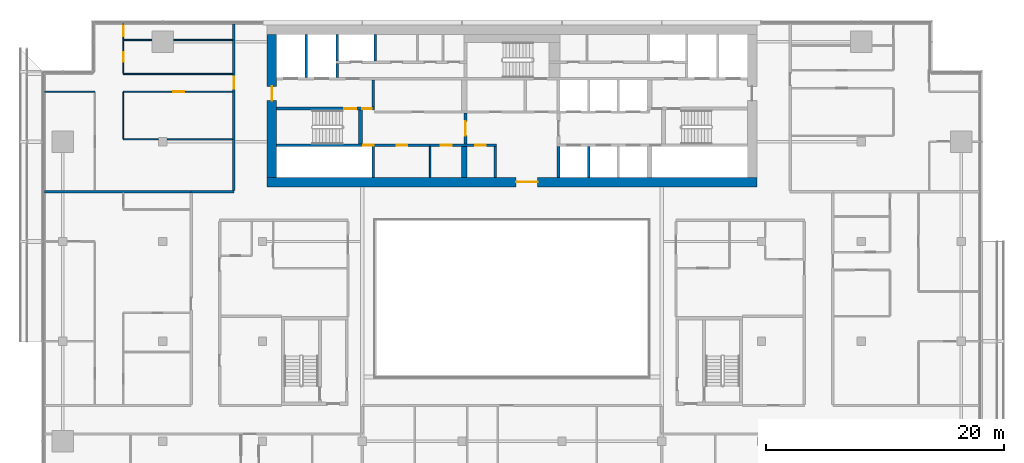
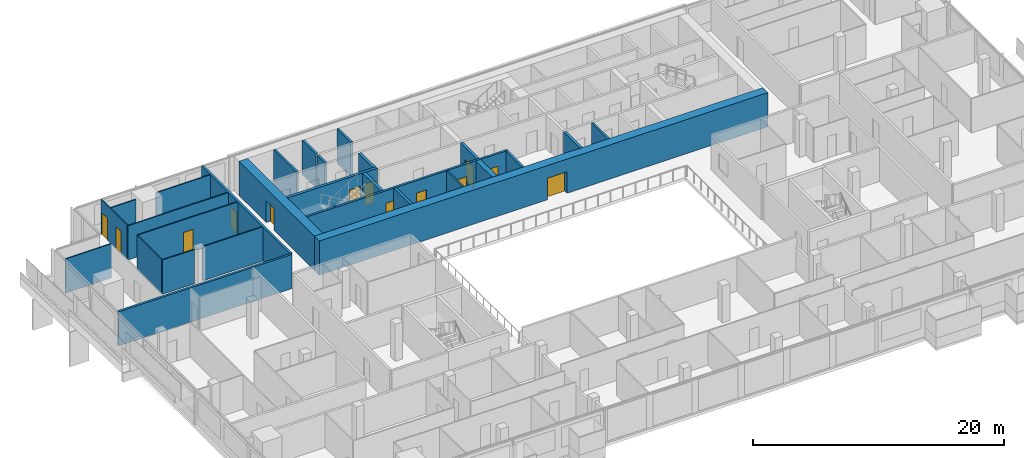
# One storey, part 21 of 29: 29 walls, 13 doors, 13 openings.
"""IFC4 building model written with IfcOpenShell, lengths in metres."""

import ifcopenshell
import ifcopenshell.guid

model = None  # the IFC model being written
_history = None  # IfcOwnerHistory: only IFC2X3 demands one
_inside = {}  # id of a spatial element -> (the spatial element, [elements in it])
_under = {}  # id of a project, library or spatial element -> (it, [spatial elements below it])
_declared = {}  # id of a project -> (the project, [libraries it declares])
_typed = {}  # id of a type object -> (the type object, [elements of that type])
_made_of = {}  # id of a material, layer set ... -> (it, [elements and type objects made of it])


def new_model(schema):
    """Start an empty IFC model of exactly this schema.

    Asked for "IFC4X3", IfcOpenShell would pick the latest addendum, in which some entities
    have other attributes; the version numbers below select the first issue.
    IFC2X3 requires an IfcOwnerHistory on every rooted entity: one is made here for all.
    """
    global model, _history
    if schema == "IFC4X3":
        model = ifcopenshell.file(schema_version=(4, 3, 0, 0))
    else:
        model = ifcopenshell.file(schema=schema)
    _inside.clear()
    _under.clear()
    _declared.clear()
    _typed.clear()
    _made_of.clear()
    _history = None
    if model.schema == "IFC2X3":
        org = make("IfcOrganization", Name="unknown")
        user = make(
            "IfcPersonAndOrganization",
            ThePerson=make("IfcPerson", FamilyName="unknown"),
            TheOrganization=org,
        )
        app = make(
            "IfcApplication",
            ApplicationDeveloper=org,
            Version="unknown",
            ApplicationFullName="unknown",
            ApplicationIdentifier="unknown",
        )
        _history = make(
            "IfcOwnerHistory",
            OwningUser=user,
            OwningApplication=app,
            ChangeAction="ADDED",
            CreationDate=0,
        )
    return model


def make(cls, **values):
    """One entity of the class cls with the attributes given. An attribute that is None is left unset."""
    return model.create_entity(
        cls, **{name: value for name, value in values.items() if value is not None}
    )


def rooted(cls, **values):
    """An entity with a GlobalId (a new one), such as an element, a storey or a relation."""
    return make(cls, GlobalId=ifcopenshell.guid.new(), OwnerHistory=_history, **values)


def si_unit(unit_type, name, prefix=None):
    """IfcSIUnit, for example si_unit("LENGTHUNIT", "METRE", prefix="MILLI")."""
    return make("IfcSIUnit", UnitType=unit_type, Prefix=prefix, Name=name)


def assignment(units):
    """IfcUnitAssignment: the units of a project."""
    return None if units is None else make("IfcUnitAssignment", Units=units)


def point(xyz):
    """IfcCartesianPoint."""
    return None if xyz is None else make("IfcCartesianPoint", Coordinates=xyz)


def direction(xyz):
    """IfcDirection."""
    return None if xyz is None else make("IfcDirection", DirectionRatios=xyz)


def frame(location, z_axis=None, x_axis=None):
    """IfcAxis2Placement3D, a coordinate frame: its origin and axes. An axis left out is left unset."""
    return make(
        "IfcAxis2Placement3D",
        Location=point(location),
        Axis=direction(z_axis),
        RefDirection=direction(x_axis),
    )


def frame_2d(location, x_axis=None):
    """IfcAxis2Placement2D, a coordinate frame in the plane: its origin and x axis."""
    return make(
        "IfcAxis2Placement2D", Location=point(location), RefDirection=direction(x_axis)
    )


def origin():
    """The frame at (0, 0, 0) with its axes left unset."""
    return frame((0.0, 0.0, 0.0))


def place(relative_to, where):
    """IfcLocalPlacement: puts the frame where relative to a parent placement (None: the world)."""
    return make(
        "IfcLocalPlacement", PlacementRelTo=relative_to, RelativePlacement=where
    )


def context(
    kind, dimensions, precision=None, world=None, true_north=None, identifier=None
):
    """IfcGeometricRepresentationContext, for example the 3D "Model" context."""
    return make(
        "IfcGeometricRepresentationContext",
        ContextIdentifier=identifier,
        ContextType=kind,
        CoordinateSpaceDimension=dimensions,
        Precision=precision,
        WorldCoordinateSystem=world,
        TrueNorth=true_north,
    )


def subcontext(parent, identifier, kind, view, scale=None):
    """IfcGeometricRepresentationSubContext, for example "Body" below "Model"."""
    return make(
        "IfcGeometricRepresentationSubContext",
        ContextIdentifier=identifier,
        ContextType=kind,
        ParentContext=parent,
        TargetScale=scale,
        TargetView=view,
    )


def project(units=None, contexts=None):
    """IfcProject with its units and contexts."""
    return rooted(
        "IfcProject",
        Name="project",
        RepresentationContexts=contexts,
        UnitsInContext=assignment(units),
    )


def spatial(cls, under=None, at=None, **own):
    """A site, building, storey or space (cls), placed at a placement, below another one or the project."""
    s = rooted(cls, ObjectPlacement=at, **own)
    if under is not None:
        _under.setdefault(under.id(), (under, []))[1].append(s)
    return s


def profile(cls, at=None, kind="AREA", **sizes):
    """A parametric profile (cls). Its sizes go by their IFC names, for example OverallWidth=200.0."""
    return make(cls, ProfileType=kind, Position=at, **sizes)


def rectangle(**sizes):
    """IfcRectangleProfileDef."""
    return profile("IfcRectangleProfileDef", **sizes)


def extrude(swept, where, along, depth):
    """IfcExtrudedAreaSolid: the profile swept, set in the frame where, extruded along a direction by depth."""
    return make(
        "IfcExtrudedAreaSolid",
        SweptArea=swept,
        Position=where,
        ExtrudedDirection=direction(along),
        Depth=depth,
    )


def shape(context_of_items, identifier, shape_type, items):
    """IfcShapeRepresentation: the items that make up one representation, for example the "Body"."""
    return make(
        "IfcShapeRepresentation",
        ContextOfItems=context_of_items,
        RepresentationIdentifier=identifier,
        RepresentationType=shape_type,
        Items=items,
    )


def material(Name=None, Category=None):
    """IfcMaterial."""
    return make("IfcMaterial", Name=Name, Category=Category)


def layer(
    of_material, thickness, ventilated=None, Name=None, Category=None, Priority=None
):
    """IfcMaterialLayer: one layer of a wall or slab, of a material (None: an air gap)."""
    return make(
        "IfcMaterialLayer",
        Material=of_material,
        LayerThickness=thickness,
        IsVentilated=ventilated,
        Name=Name,
        Category=Category,
        Priority=Priority,
    )


def layer_set(layers, Name=None):
    """IfcMaterialLayerSet."""
    return make("IfcMaterialLayerSet", MaterialLayers=layers, LayerSetName=Name)


def made_of(thing, what):
    """Note that an element or type object is made of a material, layer set ...; save() writes the relation."""
    if what is not None:
        _made_of.setdefault(what.id(), (what, []))[1].append(thing)
    return thing


def type_object(cls, material=None, **own):
    """A type object (cls), such as IfcWallType, which elements share."""
    return made_of(rooted(cls, **own), material)


def element(
    cls,
    number,
    at=None,
    inside=None,
    cuts=None,
    type_object=None,
    material=None,
    context=None,
    identifier="Body",
    shape_type=None,
    held_by="IfcProductDefinitionShape",
    body=None,
    shapes=None,
    **own,
):
    """One element of the class cls, such as IfcWall. Its Tag is "e" and its number.

    at: its placement. inside: the storey or other place that contains it. cuts: it is an
    opening in that element (IfcRelVoidsElement). A single representation is given by context,
    identifier, shape_type and body (its items); several are given by shapes. held_by: the class
    of the entity that holds the representations. save() writes the other relations.
    """
    e = rooted(cls, Tag="e%d" % number, ObjectPlacement=at, **own)
    if body is not None:
        shapes = [shape(context, identifier, shape_type, body)]
    if shapes is not None:
        e.Representation = make(held_by, Representations=shapes)
    if inside is not None:
        _inside.setdefault(inside.id(), (inside, []))[1].append(e)
    if cuts is not None:
        rooted(
            "IfcRelVoidsElement", RelatingBuildingElement=cuts, RelatedOpeningElement=e
        )
    if type_object is not None:
        _typed.setdefault(type_object.id(), (type_object, []))[1].append(e)
    return made_of(e, material)


def fill(opening, filler):
    """IfcRelFillsElement: the door or window that sits in an opening."""
    return rooted(
        "IfcRelFillsElement",
        RelatingOpeningElement=opening,
        RelatedBuildingElement=filler,
    )


def aggregate(whole, parts):
    """IfcRelAggregates: a whole, such as a stair, and the parts it consists of."""
    return rooted("IfcRelAggregates", RelatingObject=whole, RelatedObjects=parts)


def save(model, path):
    """Write the relations noted so far, then the file.

    IfcRelAggregates (storeys below a building ...), IfcRelContainedInSpatialStructure (elements
    in a storey), IfcRelDefinesByType, IfcRelAssociatesMaterial and IfcRelDeclares: one each for
    every whole, place, type object, material and project.
    """
    for whole, parts in _under.values():
        aggregate(whole, parts)
    for where, things in _inside.values():
        rooted(
            "IfcRelContainedInSpatialStructure",
            RelatedElements=things,
            RelatingStructure=where,
        )
    for kind, things in _typed.values():
        rooted("IfcRelDefinesByType", RelatedObjects=things, RelatingType=kind)
    for what, things in _made_of.values():
        rooted("IfcRelAssociatesMaterial", RelatedObjects=things, RelatingMaterial=what)
    for by, libraries in _declared.values():
        rooted("IfcRelDeclares", RelatingContext=by, RelatedDefinitions=libraries)
    model.write(path)


model = new_model("IFC4")

# Units and contexts
model_context = context("Model", 3, precision=1e-05, world=origin(), true_north=direction((0.0, 1.0)))
body_context = subcontext(model_context, "Body", "Model", "MODEL_VIEW")
ifc_project = project(units=[si_unit("LENGTHUNIT", "METRE"), si_unit("AREAUNIT", "SQUARE_METRE"), si_unit("VOLUMEUNIT", "CUBIC_METRE"), si_unit("PLANEANGLEUNIT", "RADIAN"), si_unit("MASSUNIT", "GRAM", prefix="KILO")], contexts=[model_context])

# Site, building, storey
site_placement = place(None, origin())
site = spatial("IfcSite", under=ifc_project, at=site_placement, CompositionType="ELEMENT")
building_placement = place(site_placement, origin())
building = spatial("IfcBuilding", under=site, at=building_placement, Name="Saffron Gate Tower", CompositionType="ELEMENT")
storey_placement = place(building_placement, frame((0.0, 0.0, 161.85009765625)))
storey = spatial("IfcBuildingStorey", under=building, at=storey_placement, Name="L39", CompositionType="ELEMENT", Elevation=161.85009765625)

# Wall
ifc_material_1 = material(Name="Gypsum board partition on steel studs", Category="steel")
ifc_layer_1 = layer(ifc_material_1, 0.199951171875)
ifc_layer_set_1 = layer_set([ifc_layer_1], Name="CW10 Core partition 200")
wall_type_1 = type_object("IfcWallType", Name="CW10 Core partition 200", PredefinedType="PARTITIONING", material=ifc_layer_set_1)
wall_1_placement = place(storey_placement, frame((86.199951171875, 62.39990234375, 0.0), z_axis=(0.0, 0.0, 1.0), x_axis=(0.0, 1.0, 0.0)))
element("IfcWall", 1, at=wall_1_placement, inside=storey, type_object=wall_type_1, Name="Wall CW10-L39-8", PredefinedType="PARTITIONING", context=body_context, shape_type="SweptSolid", body=[
    extrude(rectangle(XDim=2.60009765625, YDim=0.199951171875, at=frame_2d((1.300048828125, 0.0))), origin(), (0.0, 0.0, 1.0), 3.31982421875),
])

# Wall, opening, door
ifc_material_2 = material(Name="Concrete C60", Category="concrete")
ifc_layer_2 = layer(ifc_material_2, 0.800048828125)
ifc_layer_set_2 = layer_set([ifc_layer_2], Name="CW13 RC core wall 800 C60")
wall_type_2 = type_object("IfcWallType", Name="CW13 RC core wall 800 C60", PredefinedType="SOLIDWALL", material=ifc_layer_set_2)
wall_2_placement = place(storey_placement, frame((67.0, 62.0, 0.0), z_axis=(0.0, 0.0, 1.0), x_axis=(1.0, 0.0, 0.0)))
wall_2 = element("IfcWall", 2, at=wall_2_placement, inside=storey, type_object=wall_type_2, Name="Wall CW13-L39-1", PredefinedType="SOLIDWALL", context=body_context, shape_type="SweptSolid", body=[
    extrude(rectangle(XDim=41.199951171875, YDim=0.800048828125, at=frame_2d((20.60009765625, 0.0))), origin(), (0.0, 0.0, 1.0), 3.31982421875),
])
opening_1_placement = place(wall_2_placement, frame((20.949951171875, 0.0, 0.0)))
opening_1 = element("IfcOpeningElement", 3, at=opening_1_placement, cuts=wall_2, Name="Opening CR-09", PredefinedType="OPENING", context=body_context, shape_type="SweptSolid", body=[
    extrude(rectangle(XDim=1.800048828125, YDim=2.10009765625, at=frame_2d((0.89990234375, 1.050048828125))), frame((0.0, 0.41015625, 0.0), z_axis=(0.0, -1.0, 0.0), x_axis=(1.0, 0.0, 0.0)), (0.0, 0.0, 1.0), 0.820068359375),
])
ifc_material_3 = material(Name="Steel fire door set", Category="steel")
door_type_1 = type_object("IfcDoorType", Name="CD1 Core entrance door 1800x2100 EI 120", OperationType="NOTDEFINED", PredefinedType="DOOR", material=ifc_material_3)
door_1_placement = place(opening_1_placement, origin())
door_1 = element("IfcDoor", 4, at=door_1_placement, inside=storey, type_object=door_type_1, Name="DOOR CR-09", OperationType="DOUBLE_DOOR_SINGLE_SWING", OverallHeight=2.10009765625, OverallWidth=1.800048828125, PredefinedType="DOOR", context=body_context, shape_type="SweptSolid", body=[
    extrude(rectangle(XDim=1.800048828125, YDim=2.10009765625, at=frame_2d((0.89990234375, 1.050048828125))), frame((0.0, 0.02490234375, 0.0), z_axis=(0.0, -1.0, 0.0), x_axis=(1.0, 0.0, 0.0)), (0.0, 0.0, 1.0), 0.050048828125),
])
fill(opening_1, door_1)

wall_3_placement = place(storey_placement, frame((67.39990234375, 62.39990234375, 0.0), z_axis=(0.0, 0.0, 1.0), x_axis=(0.0, 1.0, 0.0)))
wall_3 = element("IfcWall", 5, at=wall_3_placement, inside=storey, type_object=wall_type_2, Name="Wall CW13-L39-3", PredefinedType="SOLIDWALL", context=body_context, shape_type="SweptSolid", body=[
    extrude(rectangle(XDim=12.0, YDim=0.800048828125, at=frame_2d((6.0, 0.0))), origin(), (0.0, 0.0, 1.0), 3.31982421875),
])
opening_2_placement = place(wall_3_placement, frame((6.449951171875, 0.0, 0.0)))
opening_2 = element("IfcOpeningElement", 6, at=opening_2_placement, cuts=wall_3, Name="Opening CR-10", PredefinedType="OPENING", context=body_context, shape_type="SweptSolid", body=[
    extrude(rectangle(XDim=1.199951171875, YDim=2.10009765625, at=frame_2d((0.60009765625, 1.050048828125))), frame((0.0, 0.41015625, 0.0), z_axis=(0.0, -1.0, 0.0), x_axis=(1.0, 0.0, 0.0)), (0.0, 0.0, 1.0), 0.820068359375),
])
door_type_2 = type_object("IfcDoorType", Name="CD7 Core entrance door 1200x2100 EI 120", OperationType="NOTDEFINED", PredefinedType="DOOR", material=ifc_material_3)
door_2_placement = place(opening_2_placement, origin())
door_2 = element("IfcDoor", 7, at=door_2_placement, inside=storey, type_object=door_type_2, Name="DOOR CR-10", OperationType="SINGLE_SWING_LEFT", OverallHeight=2.10009765625, OverallWidth=1.199951171875, PredefinedType="DOOR", context=body_context, shape_type="SweptSolid", body=[
    extrude(rectangle(XDim=1.199951171875, YDim=2.10009765625, at=frame_2d((0.60009765625, 1.050048828125))), frame((0.0, 0.02490234375, 0.0), z_axis=(0.0, -1.0, 0.0), x_axis=(1.0, 0.0, 0.0)), (0.0, 0.0, 1.0), 0.050048828125),
])
fill(opening_2, door_2)

# Walls
ifc_layer_3 = layer(ifc_material_2, 0.25)
ifc_layer_set_3 = layer_set([ifc_layer_3], Name="CW14 RC core wall 250 C60")
wall_type_3 = type_object("IfcWallType", Name="CW14 RC core wall 250 C60", PredefinedType="SOLIDWALL", material=ifc_layer_set_3)
for number, where, z_axis, x_axis, name in (
    (8, (75.925048828125, 62.39990234375, 0.0), (0.0, 0.0, 1.0), (0.0, 1.0, 0.0), "Wall CW14-L39-5"),
    (9, (91.52490234375, 62.39990234375, 0.0), (0.0, 0.0, 1.0), (0.0, 1.0, 0.0), "Wall CW14-L39-9"),
):
    element("IfcWall", number, at=place(storey_placement, frame(where, z_axis=z_axis, x_axis=x_axis)), inside=storey, type_object=wall_type_3, Name=name, PredefinedType="SOLIDWALL", context=body_context, shape_type="SweptSolid", body=[
        extrude(rectangle(XDim=2.60009765625, YDim=0.25, at=frame_2d((1.300048828125, 0.0))), origin(), (0.0, 0.0, 1.0), 3.31982421875),
    ])

# Wall, opening, door
wall_4_placement = place(storey_placement, frame((83.675048828125, 65.199951171875, 0.0), z_axis=(0.0, 0.0, 1.0), x_axis=(0.0, 1.0, 0.0)))
wall_4 = element("IfcWall", 10, at=wall_4_placement, inside=storey, type_object=wall_type_3, Name="Wall CW14-L39-16", PredefinedType="SOLIDWALL", context=body_context, shape_type="SweptSolid", body=[
    extrude(rectangle(XDim=2.60009765625, YDim=0.25, at=frame_2d((1.300048828125, 0.0))), origin(), (0.0, 0.0, 1.0), 3.31982421875),
])
opening_3_placement = place(wall_4_placement, frame((0.699951171875, 0.0, 0.0)))
opening_3 = element("IfcOpeningElement", 11, at=opening_3_placement, cuts=wall_4, Name="Opening CR-07", PredefinedType="OPENING", context=body_context, shape_type="SweptSolid", body=[
    extrude(rectangle(XDim=1.199951171875, YDim=2.10009765625, at=frame_2d((0.60009765625, 1.050048828125))), frame((0.0, 0.135009765625, 0.0), z_axis=(0.0, -1.0, 0.0), x_axis=(1.0, 0.0, 0.0)), (0.0, 0.0, 1.0), 0.27001953125),
])
door_type_3 = type_object("IfcDoorType", Name="CD3 Lobby door 1200x2100 EI 120", OperationType="NOTDEFINED", PredefinedType="DOOR", material=ifc_material_3)
door_3_placement = place(opening_3_placement, origin())
door_3 = element("IfcDoor", 12, at=door_3_placement, inside=storey, type_object=door_type_3, Name="DOOR CR-07", OperationType="SINGLE_SWING_RIGHT", OverallHeight=2.10009765625, OverallWidth=1.199951171875, PredefinedType="DOOR", context=body_context, shape_type="SweptSolid", body=[
    extrude(rectangle(XDim=1.199951171875, YDim=2.10009765625, at=frame_2d((0.60009765625, 1.050048828125))), frame((0.0, 0.02490234375, 0.0), z_axis=(0.0, -1.0, 0.0), x_axis=(1.0, 0.0, 0.0)), (0.0, 0.0, 1.0), 0.050048828125),
])
fill(opening_3, door_3)

# Wall, openings, doors
wall_5_placement = place(storey_placement, frame((67.800048828125, 68.175048828125, 0.0), z_axis=(0.0, 0.0, 1.0), x_axis=(1.0, 0.0, 0.0)))
wall_5 = element("IfcWall", 13, at=wall_5_placement, inside=storey, type_object=wall_type_3, Name="Wall CW14-L39-26", PredefinedType="SOLIDWALL", context=body_context, shape_type="SweptSolid", body=[
    extrude(rectangle(XDim=8.25, YDim=0.25, at=frame_2d((4.125, 0.0))), origin(), (0.0, 0.0, 1.0), 3.31982421875),
])
opening_4_placement = place(wall_5_placement, frame((5.699951171875, 0.0, 0.0)))
opening_4 = element("IfcOpeningElement", 14, at=opening_4_placement, cuts=wall_5, Name="Opening CR-15", PredefinedType="OPENING", context=body_context, shape_type="SweptSolid", body=[
    extrude(rectangle(XDim=1.0, YDim=2.10009765625, at=frame_2d((0.5, 1.050048828125))), frame((0.0, 0.135009765625, 0.0), z_axis=(0.0, -1.0, 0.0), x_axis=(1.0, 0.0, 0.0)), (0.0, 0.0, 1.0), 0.27001953125),
])
opening_5_placement = place(wall_5_placement, frame((7.199951171875, 0.0, 0.0)))
opening_5 = element("IfcOpeningElement", 15, at=opening_5_placement, cuts=wall_5, Name="Opening CR-06", PredefinedType="OPENING", context=body_context, shape_type="SweptSolid", body=[
    extrude(rectangle(XDim=0.800048828125, YDim=2.10009765625, at=frame_2d((0.39990234375, 1.050048828125))), frame((0.0, 0.135009765625, 0.0), z_axis=(0.0, -1.0, 0.0), x_axis=(1.0, 0.0, 0.0)), (0.0, 0.0, 1.0), 0.27001953125),
])
door_type_4 = type_object("IfcDoorType", Name="CD5 Stair door 1000x2100 EI 120", OperationType="NOTDEFINED", PredefinedType="DOOR", material=ifc_material_3)
door_4_placement = place(opening_4_placement, origin())
door_4 = element("IfcDoor", 16, at=door_4_placement, inside=storey, type_object=door_type_4, Name="DOOR CR-15", OperationType="SINGLE_SWING_RIGHT", OverallHeight=2.10009765625, OverallWidth=1.0, PredefinedType="DOOR", context=body_context, shape_type="SweptSolid", body=[
    extrude(rectangle(XDim=1.0, YDim=2.10009765625, at=frame_2d((0.5, 1.050048828125))), frame((0.0, 0.02490234375, 0.0), z_axis=(0.0, -1.0, 0.0), x_axis=(1.0, 0.0, 0.0)), (0.0, 0.0, 1.0), 0.050048828125),
])
fill(opening_4, door_4)
door_type_5 = type_object("IfcDoorType", Name="CD6 Lobby door 800x2100 EI 120", OperationType="NOTDEFINED", PredefinedType="DOOR", material=ifc_material_3)
door_5_placement = place(opening_5_placement, origin())
door_5 = element("IfcDoor", 17, at=door_5_placement, inside=storey, type_object=door_type_5, Name="DOOR CR-06", OperationType="SINGLE_SWING_LEFT", OverallHeight=2.10009765625, OverallWidth=0.800048828125, PredefinedType="DOOR", context=body_context, shape_type="SweptSolid", body=[
    extrude(rectangle(XDim=0.800048828125, YDim=2.10009765625, at=frame_2d((0.39990234375, 1.050048828125))), frame((0.0, 0.02490234375, 0.0), z_axis=(0.0, -1.0, 0.0), x_axis=(1.0, 0.0, 0.0)), (0.0, 0.0, 1.0), 0.050048828125),
])
fill(opening_5, door_5)

# Walls
wall_6_placement = place(storey_placement, frame((75.925048828125, 68.300048828125, 0.0), z_axis=(0.0, 0.0, 1.0), x_axis=(0.0, 1.0, 0.0)))
element("IfcWall", 18, at=wall_6_placement, inside=storey, type_object=wall_type_3, Name="Wall CW14-L39-28", PredefinedType="SOLIDWALL", context=body_context, shape_type="SweptSolid", body=[
    extrude(rectangle(XDim=2.300048828125, YDim=0.25, at=frame_2d((1.14990234375, 0.0))), origin(), (0.0, 0.0, 1.0), 3.31982421875),
])
ifc_layer_4 = layer(ifc_material_2, 0.199951171875)
ifc_layer_set_4 = layer_set([ifc_layer_4], Name="CW15 RC core wall 200 C60")
wall_type_4 = type_object("IfcWallType", Name="CW15 RC core wall 200 C60", PredefinedType="SOLIDWALL", material=ifc_layer_set_4)
wall_7_placement = place(storey_placement, frame((94.050048828125, 62.39990234375, 0.0), z_axis=(0.0, 0.0, 1.0), x_axis=(0.0, 1.0, 0.0)))
element("IfcWall", 19, at=wall_7_placement, inside=storey, type_object=wall_type_4, Name="Wall CW15-L39-10", PredefinedType="SOLIDWALL", context=body_context, shape_type="SweptSolid", body=[
    extrude(rectangle(XDim=2.60009765625, YDim=0.199951171875, at=frame_2d((1.300048828125, 0.0))), origin(), (0.0, 0.0, 1.0), 3.31982421875),
])

# Wall, openings, doors
wall_8_placement = place(storey_placement, frame((67.800048828125, 65.10009765625, 0.0), z_axis=(0.0, 0.0, 1.0), x_axis=(1.0, 0.0, 0.0)))
wall_8 = element("IfcWall", 20, at=wall_8_placement, inside=storey, type_object=wall_type_4, Name="Wall CW15-L39-13", PredefinedType="SOLIDWALL", context=body_context, shape_type="SweptSolid", body=[
    extrude(rectangle(XDim=18.5, YDim=0.199951171875, at=frame_2d((9.25, 0.0))), origin(), (0.0, 0.0, 1.0), 3.31982421875),
])
opening_6_placement = place(wall_8_placement, frame((7.27001953125, 0.0, 0.0)))
opening_6 = element("IfcOpeningElement", 21, at=opening_6_placement, cuts=wall_8, Name="Opening CR-49", PredefinedType="OPENING", context=body_context, shape_type="SweptSolid", body=[
    extrude(rectangle(XDim=0.89990234375, YDim=2.10009765625, at=frame_2d((0.449951171875, 1.050048828125))), frame((0.0, 0.10986328125, 0.0), z_axis=(0.0, -1.0, 0.0), x_axis=(1.0, 0.0, 0.0)), (0.0, 0.0, 1.0), 0.219970703125),
])
opening_7_placement = place(wall_8_placement, frame((10.10009765625, 0.0, 0.0)))
opening_7 = element("IfcOpeningElement", 22, at=opening_7_placement, cuts=wall_8, Name="Opening CR-64", PredefinedType="OPENING", context=body_context, shape_type="SweptSolid", body=[
    extrude(rectangle(XDim=0.89990234375, YDim=2.10009765625, at=frame_2d((0.449951171875, 1.050048828125))), frame((0.0, 0.10986328125, 0.0), z_axis=(0.0, -1.0, 0.0), x_axis=(1.0, 0.0, 0.0)), (0.0, 0.0, 1.0), 0.219970703125),
])
opening_8_placement = place(wall_8_placement, frame((13.81005859375, 0.0, 0.0)))
opening_8 = element("IfcOpeningElement", 23, at=opening_8_placement, cuts=wall_8, Name="Opening CR-65", PredefinedType="OPENING", context=body_context, shape_type="SweptSolid", body=[
    extrude(rectangle(XDim=0.89990234375, YDim=2.10009765625, at=frame_2d((0.449951171875, 1.050048828125))), frame((0.0, 0.10986328125, 0.0), z_axis=(0.0, -1.0, 0.0), x_axis=(1.0, 0.0, 0.0)), (0.0, 0.0, 1.0), 0.219970703125),
])
opening_9_placement = place(wall_8_placement, frame((16.699951171875, 0.0, 0.0)))
opening_9 = element("IfcOpeningElement", 24, at=opening_9_placement, cuts=wall_8, Name="Opening CR-69", PredefinedType="OPENING", context=body_context, shape_type="SweptSolid", body=[
    extrude(rectangle(XDim=0.89990234375, YDim=2.10009765625, at=frame_2d((0.449951171875, 1.050048828125))), frame((0.0, 0.10986328125, 0.0), z_axis=(0.0, -1.0, 0.0), x_axis=(1.0, 0.0, 0.0)), (0.0, 0.0, 1.0), 0.219970703125),
])
door_type_6 = type_object("IfcDoorType", Name="CD2 Riser door 900x2100 EI 60", OperationType="NOTDEFINED", PredefinedType="DOOR", material=ifc_material_3)
door_6_placement = place(opening_6_placement, origin())
door_6 = element("IfcDoor", 25, at=door_6_placement, inside=storey, type_object=door_type_6, Name="DOOR CR-49", OperationType="SINGLE_SWING_LEFT", OverallHeight=2.10009765625, OverallWidth=0.89990234375, PredefinedType="DOOR", context=body_context, shape_type="SweptSolid", body=[
    extrude(rectangle(XDim=0.89990234375, YDim=2.10009765625, at=frame_2d((0.449951171875, 1.050048828125))), frame((0.0, 0.02490234375, 0.0), z_axis=(0.0, -1.0, 0.0), x_axis=(1.0, 0.0, 0.0)), (0.0, 0.0, 1.0), 0.050048828125),
])
fill(opening_6, door_6)
door_type_7 = type_object("IfcDoorType", Name="CD9 Room door 900x2100 EI 60", OperationType="NOTDEFINED", PredefinedType="DOOR", material=ifc_material_3)
door_7_placement = place(opening_7_placement, origin())
door_7 = element("IfcDoor", 26, at=door_7_placement, inside=storey, type_object=door_type_7, Name="DOOR CR-64", OperationType="SINGLE_SWING_RIGHT", OverallHeight=2.10009765625, OverallWidth=0.89990234375, PredefinedType="DOOR", context=body_context, shape_type="SweptSolid", body=[
    extrude(rectangle(XDim=0.89990234375, YDim=2.10009765625, at=frame_2d((0.449951171875, 1.050048828125))), frame((0.0, 0.02490234375, 0.0), z_axis=(0.0, -1.0, 0.0), x_axis=(1.0, 0.0, 0.0)), (0.0, 0.0, 1.0), 0.050048828125),
])
fill(opening_7, door_7)
door_8_placement = place(opening_8_placement, origin())
door_8 = element("IfcDoor", 27, at=door_8_placement, inside=storey, type_object=door_type_7, Name="DOOR CR-65", OperationType="SINGLE_SWING_RIGHT", OverallHeight=2.10009765625, OverallWidth=0.89990234375, PredefinedType="DOOR", context=body_context, shape_type="SweptSolid", body=[
    extrude(rectangle(XDim=0.89990234375, YDim=2.10009765625, at=frame_2d((0.449951171875, 1.050048828125))), frame((0.0, 0.02490234375, 0.0), z_axis=(0.0, -1.0, 0.0), x_axis=(1.0, 0.0, 0.0)), (0.0, 0.0, 1.0), 0.050048828125),
])
fill(opening_8, door_8)
door_9_placement = place(opening_9_placement, origin())
door_9 = element("IfcDoor", 28, at=door_9_placement, inside=storey, type_object=door_type_7, Name="DOOR CR-69", OperationType="SINGLE_SWING_RIGHT", OverallHeight=2.10009765625, OverallWidth=0.89990234375, PredefinedType="DOOR", context=body_context, shape_type="SweptSolid", body=[
    extrude(rectangle(XDim=0.89990234375, YDim=2.10009765625, at=frame_2d((0.449951171875, 1.050048828125))), frame((0.0, 0.02490234375, 0.0), z_axis=(0.0, -1.0, 0.0), x_axis=(1.0, 0.0, 0.0)), (0.0, 0.0, 1.0), 0.050048828125),
])
fill(opening_9, door_9)

# Walls
wall_9_placement = place(storey_placement, frame((70.300048828125, 70.800048828125, 0.0), z_axis=(0.0, 0.0, 1.0), x_axis=(0.0, 1.0, 0.0)))
element("IfcWall", 29, at=wall_9_placement, inside=storey, type_object=wall_type_4, Name="Wall CW15-L39-31", PredefinedType="SOLIDWALL", context=body_context, shape_type="SweptSolid", body=[
    extrude(rectangle(XDim=3.599853515625, YDim=0.199951171875, at=frame_2d((1.7998046875, 0.0))), origin(), (0.0, 0.0, 1.0), 3.31982421875),
])
wall_10_placement = place(storey_placement, frame((72.89990234375, 70.800048828125, 0.0), z_axis=(0.0, 0.0, 1.0), x_axis=(0.0, 1.0, 0.0)))
element("IfcWall", 30, at=wall_10_placement, inside=storey, type_object=wall_type_4, Name="Wall CW15-L39-32", PredefinedType="SOLIDWALL", context=body_context, shape_type="SweptSolid", body=[
    extrude(rectangle(XDim=1.199951171875, YDim=0.199951171875, at=frame_2d((0.60009765625, 0.0))), origin(), (0.0, 0.0, 1.0), 3.31982421875),
])
for number, where, z_axis, x_axis, name in (
    (31, (72.89990234375, 72.199951171875, 0.0), (0.0, 0.0, 1.0), (0.0, 1.0, 0.0), "Wall CW15-L39-39"),
    (32, (76.10009765625, 72.199951171875, 0.0), (0.0, 0.0, 1.0), (0.0, 1.0, 0.0), "Wall CW15-L39-40"),
):
    element("IfcWall", number, at=place(storey_placement, frame(where, z_axis=z_axis, x_axis=x_axis)), inside=storey, type_object=wall_type_4, Name=name, PredefinedType="SOLIDWALL", context=body_context, shape_type="SweptSolid", body=[
        extrude(rectangle(XDim=2.199951171875, YDim=0.199951171875, at=frame_2d((1.10009765625, 0.0))), origin(), (0.0, 0.0, 1.0), 3.31982421875),
    ])
ifc_layer_5 = layer(ifc_material_2, 0.449951171875)
ifc_layer_set_5 = layer_set([ifc_layer_5], Name="CW16 RC core wall 450 C60")
wall_type_5 = type_object("IfcWallType", Name="CW16 RC core wall 450 C60", PredefinedType="SOLIDWALL", material=ifc_layer_set_5)
wall_11_placement = place(storey_placement, frame((83.574951171875, 62.39990234375, 0.0), z_axis=(0.0, 0.0, 1.0), x_axis=(0.0, 1.0, 0.0)))
element("IfcWall", 33, at=wall_11_placement, inside=storey, type_object=wall_type_5, Name="Wall CW16-L39-7", PredefinedType="SOLIDWALL", context=body_context, shape_type="SweptSolid", body=[
    extrude(rectangle(XDim=2.60009765625, YDim=0.449951171875, at=frame_2d((1.300048828125, 0.0))), origin(), (0.0, 0.0, 1.0), 3.31982421875),
])
ifc_layer_6 = layer(ifc_material_2, 0.300048828125)
ifc_layer_set_6 = layer_set([ifc_layer_6], Name="CW17 RC core wall 300 C60")
wall_type_6 = type_object("IfcWallType", Name="CW17 RC core wall 300 C60", PredefinedType="SOLIDWALL", material=ifc_layer_set_6)
wall_12_placement = place(storey_placement, frame((74.85009765625, 65.199951171875, 0.0), z_axis=(0.0, 0.0, 1.0), x_axis=(0.0, 1.0, 0.0)))
element("IfcWall", 34, at=wall_12_placement, inside=storey, type_object=wall_type_6, Name="Wall CW17-L39-15", PredefinedType="SOLIDWALL", context=body_context, shape_type="SweptSolid", body=[
    extrude(rectangle(XDim=2.85009765625, YDim=0.300048828125, at=frame_2d((1.425048828125, 0.0))), origin(), (0.0, 0.0, 1.0), 3.31982421875),
])
ifc_layer_7 = layer(ifc_material_1, 0.1201171875)
ifc_layer_set_7 = layer_set([ifc_layer_7], Name="CW8 Core partition 120")
wall_type_7 = type_object("IfcWallType", Name="CW8 Core partition 120", PredefinedType="PARTITIONING", material=ifc_layer_set_7)
wall_13_placement = place(storey_placement, frame((80.7099609375, 62.39990234375, 0.0), z_axis=(0.0, 0.0, 1.0), x_axis=(0.0, 1.0, 0.0)))
element("IfcWall", 35, at=wall_13_placement, inside=storey, type_object=wall_type_7, Name="Wall CW8-L39-6", PredefinedType="PARTITIONING", context=body_context, shape_type="SweptSolid", body=[
    extrude(rectangle(XDim=2.60009765625, YDim=0.1201171875, at=frame_2d((1.300048828125, 0.0))), origin(), (0.0, 0.0, 1.0), 3.31982421875),
])
ifc_material_4 = material(Name="Plasterboard on steel studs", Category="steel")
ifc_layer_8 = layer(ifc_material_4, 0.10009765625)
ifc_layer_set_8 = layer_set([ifc_layer_8], Name="PW1 Partition 100")
wall_type_8 = type_object("IfcWallType", Name="PW1 Partition 100", PredefinedType="PARTITIONING", material=ifc_layer_set_8)
wall_14_placement = place(storey_placement, frame((54.89990234375, 65.608642578125, 0.0), z_axis=(0.0, 0.0, 1.0), x_axis=(1.0, 0.0, 0.0)))
element("IfcWall", 36, at=wall_14_placement, inside=storey, type_object=wall_type_8, Name="Partition C2-49", PredefinedType="PARTITIONING", context=body_context, shape_type="SweptSolid", body=[
    extrude(rectangle(XDim=2.93017578125, YDim=0.10009765625, at=frame_2d((1.465087890625, 0.0))), origin(), (0.0, 0.0, 1.0), 3.31982421875),
])
wall_15_placement = place(storey_placement, frame((58.570068359375, 65.608642578125, 0.0), z_axis=(0.0, 0.0, 1.0), x_axis=(1.0, 0.0, 0.0)))
element("IfcWall", 37, at=wall_15_placement, inside=storey, type_object=wall_type_8, Name="Partition C2-50", PredefinedType="PARTITIONING", context=body_context, shape_type="SweptSolid", body=[
    extrude(rectangle(XDim=5.530029296875, YDim=0.10009765625, at=frame_2d((2.76513671875, 0.0))), origin(), (0.0, 0.0, 1.0), 3.31982421875),
])
wall_16_placement = place(storey_placement, frame((48.280029296875, 69.60009765625, 0.0), z_axis=(0.0, 0.0, 1.0), x_axis=(1.0, 0.0, 0.0)))
element("IfcWall", 38, at=wall_16_placement, inside=storey, type_object=wall_type_8, Name="Partition C2-52", PredefinedType="PARTITIONING", context=body_context, shape_type="SweptSolid", body=[
    extrude(rectangle(XDim=4.219970703125, YDim=0.10009765625, at=frame_2d((2.10986328125, 0.0))), origin(), (0.0, 0.0, 1.0), 3.31982421875),
])

# Wall, opening, door
wall_17_placement = place(storey_placement, frame((64.10009765625, 69.60009765625, 0.0), z_axis=(0.0, 0.0, 1.0), x_axis=(-1.0, 0.0, 0.0)))
wall_17 = element("IfcWall", 39, at=wall_17_placement, inside=storey, type_object=wall_type_8, Name="Partition C2-53", PredefinedType="PARTITIONING", context=body_context, shape_type="SweptSolid", body=[
    extrude(rectangle(XDim=9.2001953125, YDim=0.10009765625, at=frame_2d((4.60009765625, 0.0))), origin(), (0.0, 0.0, 1.0), 3.31982421875),
])
opening_10_placement = place(wall_17_placement, frame((4.10009765625, 0.0, 0.0)))
opening_10 = element("IfcOpeningElement", 40, at=opening_10_placement, cuts=wall_17, Name="Opening C2-29", PredefinedType="OPENING", context=body_context, shape_type="SweptSolid", body=[
    extrude(rectangle(XDim=0.89990234375, YDim=2.10009765625, at=frame_2d((0.449951171875, 1.050048828125))), frame((0.0, 0.06005859375, 0.0), z_axis=(0.0, -1.0, 0.0), x_axis=(1.0, 0.0, 0.0)), (0.0, 0.0, 1.0), 0.1201171875),
])
ifc_material_5 = material(Name="Timber door set", Category="wood")
door_type_8 = type_object("IfcDoorType", Name="RD1 Room door 900x2100", OperationType="NOTDEFINED", PredefinedType="DOOR", material=ifc_material_5)
door_10_placement = place(opening_10_placement, origin())
door_10 = element("IfcDoor", 41, at=door_10_placement, inside=storey, type_object=door_type_8, Name="Door C2-29", OperationType="SINGLE_SWING_LEFT", OverallHeight=2.10009765625, OverallWidth=0.89990234375, PredefinedType="DOOR", context=body_context, shape_type="SweptSolid", body=[
    extrude(rectangle(XDim=0.89990234375, YDim=2.10009765625, at=frame_2d((0.449951171875, 1.050048828125))), frame((0.0, 0.02490234375, 0.0), z_axis=(0.0, -1.0, 0.0), x_axis=(1.0, 0.0, 0.0)), (0.0, 0.0, 1.0), 0.050048828125),
])
fill(opening_10, door_10)

# Walls
wall_18_placement = place(storey_placement, frame((54.89990234375, 71.10009765625, 0.0), z_axis=(0.0, 0.0, 1.0), x_axis=(1.0, 0.0, 0.0)))
element("IfcWall", 42, at=wall_18_placement, inside=storey, type_object=wall_type_8, Name="Partition C2-56", PredefinedType="PARTITIONING", context=body_context, shape_type="SweptSolid", body=[
    extrude(rectangle(XDim=9.2001953125, YDim=0.10009765625, at=frame_2d((4.60009765625, 0.0))), origin(), (0.0, 0.0, 1.0), 3.31982421875),
])
wall_19_placement = place(storey_placement, frame((54.949951171875, 73.949462890625, 0.0), z_axis=(0.0, 0.0, 1.0), x_axis=(1.0, 0.0, 0.0)))
element("IfcWall", 43, at=wall_19_placement, inside=storey, type_object=wall_type_8, Name="Partition C2-60", PredefinedType="PARTITIONING", context=body_context, shape_type="SweptSolid", body=[
    extrude(rectangle(XDim=2.330078125, YDim=0.10009765625, at=frame_2d((1.1650390625, 0.0))), origin(), (0.0, 0.0, 1.0), 3.31982421875),
])
wall_20_placement = place(storey_placement, frame((59.1201171875, 73.949462890625, 0.0), z_axis=(0.0, 0.0, 1.0), x_axis=(1.0, 0.0, 0.0)))
element("IfcWall", 44, at=wall_20_placement, inside=storey, type_object=wall_type_8, Name="Partition C2-61", PredefinedType="PARTITIONING", context=body_context, shape_type="SweptSolid", body=[
    extrude(rectangle(XDim=4.97998046875, YDim=0.10009765625, at=frame_2d((2.489990234375, 0.0))), origin(), (0.0, 0.0, 1.0), 3.31982421875),
])
wall_21_placement = place(storey_placement, frame((54.89990234375, 69.550048828125, 0.0), z_axis=(0.0, 0.0, 1.0), x_axis=(0.0, -1.0, 0.0)))
element("IfcWall", 45, at=wall_21_placement, inside=storey, type_object=wall_type_8, Name="Partition C2-67", PredefinedType="PARTITIONING", context=body_context, shape_type="SweptSolid", body=[
    extrude(rectangle(XDim=3.891357421875, YDim=0.10009765625, at=frame_2d((1.94580078125, 0.0))), origin(), (0.0, 0.0, 1.0), 3.31982421875),
])

# Wall, openings, doors
wall_22_placement = place(storey_placement, frame((54.89990234375, 75.320068359375, 0.0), z_axis=(0.0, 0.0, 1.0), x_axis=(0.0, -1.0, 0.0)))
wall_22 = element("IfcWall", 46, at=wall_22_placement, inside=storey, type_object=wall_type_8, Name="Partition C2-68", PredefinedType="PARTITIONING", context=body_context, shape_type="SweptSolid", body=[
    extrude(rectangle(XDim=4.170166015625, YDim=0.10009765625, at=frame_2d((2.0849609375, 0.0))), origin(), (0.0, 0.0, 1.0), 3.31982421875),
])
opening_11_placement = place(wall_22_placement, frame((0.14990234375, 0.0, 0.0)))
opening_11 = element("IfcOpeningElement", 47, at=opening_11_placement, cuts=wall_22, Name="Opening C2-30", PredefinedType="OPENING", context=body_context, shape_type="SweptSolid", body=[
    extrude(rectangle(XDim=0.89990234375, YDim=2.10009765625, at=frame_2d((0.449951171875, 1.050048828125))), frame((0.0, 0.06005859375, 0.0), z_axis=(0.0, -1.0, 0.0), x_axis=(1.0, 0.0, 0.0)), (0.0, 0.0, 1.0), 0.1201171875),
])
opening_12_placement = place(wall_22_placement, frame((2.395263671875, 0.0, 0.0)))
opening_12 = element("IfcOpeningElement", 48, at=opening_12_placement, cuts=wall_22, Name="Opening C2-47", PredefinedType="OPENING", context=body_context, shape_type="SweptSolid", body=[
    extrude(rectangle(XDim=0.800048828125, YDim=2.10009765625, at=frame_2d((0.39990234375, 1.050048828125))), frame((0.0, 0.06005859375, 0.0), z_axis=(0.0, -1.0, 0.0), x_axis=(1.0, 0.0, 0.0)), (0.0, 0.0, 1.0), 0.1201171875),
])
door_11_placement = place(opening_11_placement, origin())
door_11 = element("IfcDoor", 49, at=door_11_placement, inside=storey, type_object=door_type_8, Name="Door C2-30", OperationType="SINGLE_SWING_LEFT", OverallHeight=2.10009765625, OverallWidth=0.89990234375, PredefinedType="DOOR", context=body_context, shape_type="SweptSolid", body=[
    extrude(rectangle(XDim=0.89990234375, YDim=2.10009765625, at=frame_2d((0.449951171875, 1.050048828125))), frame((0.0, 0.02490234375, 0.0), z_axis=(0.0, -1.0, 0.0), x_axis=(1.0, 0.0, 0.0)), (0.0, 0.0, 1.0), 0.050048828125),
])
fill(opening_11, door_11)
door_type_9 = type_object("IfcDoorType", Name="RD2 Bathroom door 800x2100", OperationType="NOTDEFINED", PredefinedType="DOOR", material=ifc_material_5)
door_12_placement = place(opening_12_placement, origin())
door_12 = element("IfcDoor", 50, at=door_12_placement, inside=storey, type_object=door_type_9, Name="Door C2-47", OperationType="SINGLE_SWING_RIGHT", OverallHeight=2.10009765625, OverallWidth=0.800048828125, PredefinedType="DOOR", context=body_context, shape_type="SweptSolid", body=[
    extrude(rectangle(XDim=0.800048828125, YDim=2.10009765625, at=frame_2d((0.39990234375, 1.050048828125))), frame((0.0, 0.02490234375, 0.0), z_axis=(0.0, -1.0, 0.0), x_axis=(1.0, 0.0, 0.0)), (0.0, 0.0, 1.0), 0.050048828125),
])
fill(opening_12, door_12)

# Walls
ifc_material_6 = material(Name="Clay brick masonry, rendered", Category="masonry")
ifc_layer_9 = layer(ifc_material_6, 0.199951171875)
ifc_layer_set_9 = layer_set([ifc_layer_9], Name="PW2 Demising wall 200")
wall_type_9 = type_object("IfcWallType", Name="PW2 Demising wall 200", PredefinedType="PARTITIONING", material=ifc_layer_set_9)
wall_23_placement = place(storey_placement, frame((48.280029296875, 61.199951171875, 0.0), z_axis=(0.0, 0.0, 1.0), x_axis=(1.0, 0.0, 0.0)))
element("IfcWall", 51, at=wall_23_placement, inside=storey, type_object=wall_type_9, Name="Wall C2-45", PredefinedType="PARTITIONING", context=body_context, shape_type="SweptSolid", body=[
    extrude(rectangle(XDim=12.320068359375, YDim=0.199951171875, at=frame_2d((6.16015625, 0.0))), origin(), (0.0, 0.0, 1.0), 3.31982421875),
])
ifc_layer_10 = layer(ifc_material_6, 0.199951171875)
ifc_layer_set_10 = layer_set([ifc_layer_10], Name="PW3 Corridor wall 200")
wall_type_10 = type_object("IfcWallType", Name="PW3 Corridor wall 200", PredefinedType="PARTITIONING", material=ifc_layer_set_10)
wall_24_placement = place(storey_placement, frame((60.60009765625, 61.199951171875, 0.0), z_axis=(0.0, 0.0, 1.0), x_axis=(1.0, 0.0, 0.0)))
element("IfcWall", 52, at=wall_24_placement, inside=storey, type_object=wall_type_10, Name="Wall C2-43", PredefinedType="PARTITIONING", context=body_context, shape_type="SweptSolid", body=[
    extrude(rectangle(XDim=3.599853515625, YDim=0.199951171875, at=frame_2d((1.7998046875, 0.0))), origin(), (0.0, 0.0, 1.0), 3.31982421875),
])

# Wall, opening, door
wall_25_placement = place(storey_placement, frame((64.199951171875, 61.300048828125, 0.0), z_axis=(0.0, 0.0, 1.0), x_axis=(0.0, 1.0, 0.0)))
wall_25 = element("IfcWall", 53, at=wall_25_placement, inside=storey, type_object=wall_type_10, Name="Wall C2-75", PredefinedType="PARTITIONING", context=body_context, shape_type="SweptSolid", body=[
    extrude(rectangle(XDim=14.02001953125, YDim=0.199951171875, at=frame_2d((7.010009765625, 0.0))), origin(), (0.0, 0.0, 1.0), 3.31982421875),
])
opening_13_placement = place(wall_25_placement, frame((8.550048828125, 0.0, 0.0)))
opening_13 = element("IfcOpeningElement", 54, at=opening_13_placement, cuts=wall_25, Name="Opening C2-5", PredefinedType="OPENING", context=body_context, shape_type="SweptSolid", body=[
    extrude(rectangle(XDim=1.0, YDim=2.10009765625, at=frame_2d((0.5, 1.050048828125))), frame((0.0, 0.10986328125, 0.0), z_axis=(0.0, -1.0, 0.0), x_axis=(1.0, 0.0, 0.0)), (0.0, 0.0, 1.0), 0.219970703125),
])
ifc_material_7 = material(Name="Timber fire door set", Category="wood")
door_type_10 = type_object("IfcDoorType", Name="FD1 Flat entry door 1000x2100", OperationType="NOTDEFINED", PredefinedType="DOOR", material=ifc_material_7)
door_13_placement = place(opening_13_placement, origin())
door_13 = element("IfcDoor", 55, at=door_13_placement, inside=storey, type_object=door_type_10, Name="Door C2-5", OperationType="SINGLE_SWING_LEFT", OverallHeight=2.10009765625, OverallWidth=1.0, PredefinedType="DOOR", context=body_context, shape_type="SweptSolid", body=[
    extrude(rectangle(XDim=1.0, YDim=2.10009765625, at=frame_2d((0.5, 1.050048828125))), frame((0.0, 0.02490234375, 0.0), z_axis=(0.0, -1.0, 0.0), x_axis=(1.0, 0.0, 0.0)), (0.0, 0.0, 1.0), 0.050048828125),
])
fill(opening_13, door_13)

save(model, "model.ifc")
